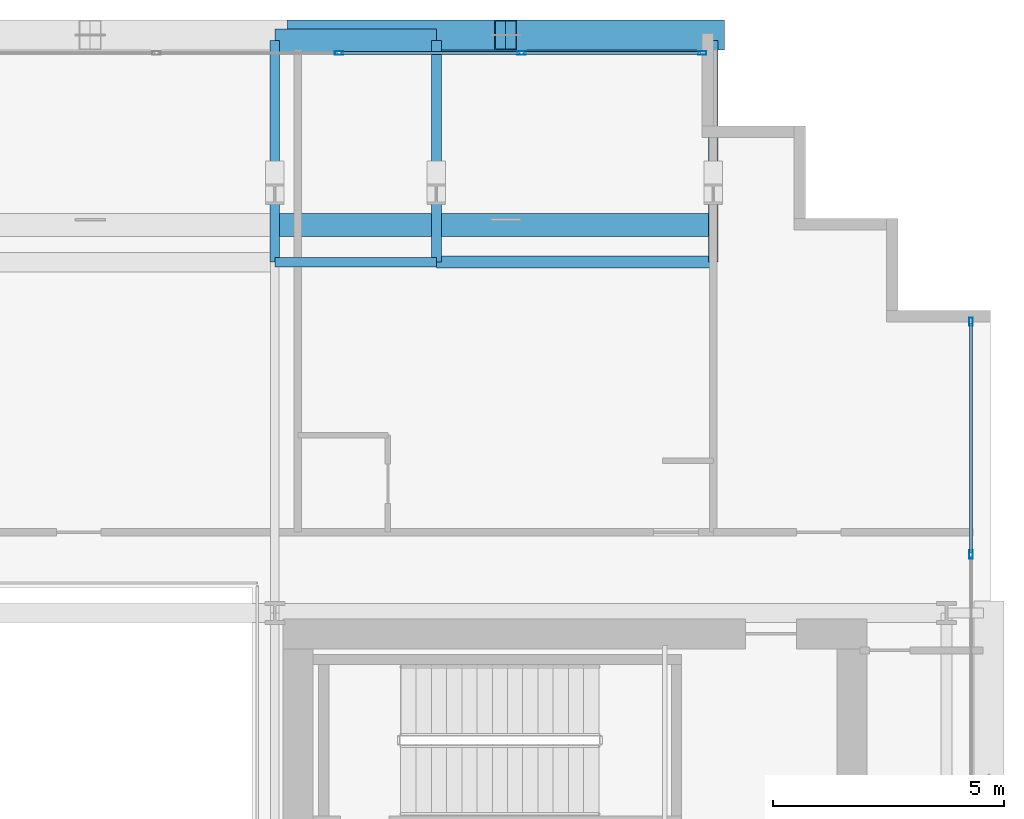
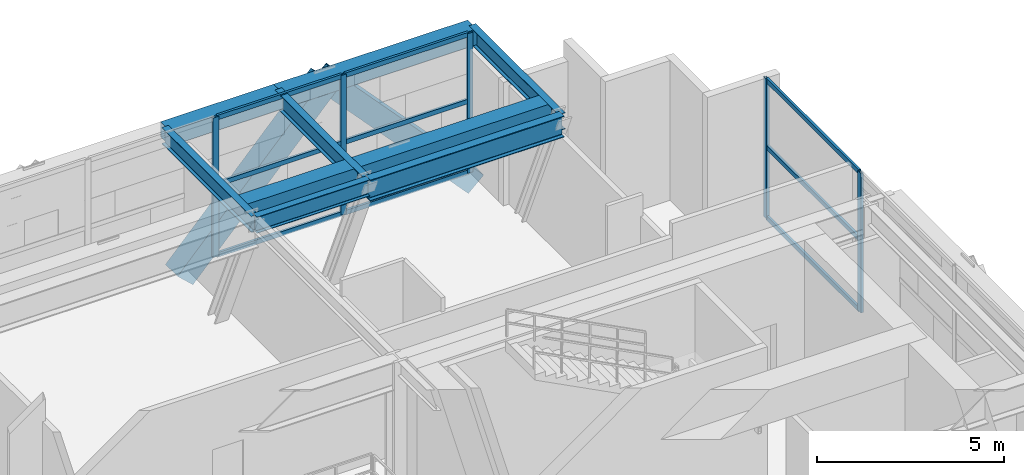
# One storey, part 22 of 35: 16 members, 9 beams, 2 elements without a shape of their own.
"""IFC4 building model written with IfcOpenShell, lengths in metres."""

from ifc_helpers import new_model, si_unit, direction, frame, origin, origin_2d, place, context, subcontext, project, spatial, hollow_rectangle, i_section, extrude, source, transform, mapped, material, layer, layer_set, material_profile, profile_set, type_object, element, aggregate, save


model = new_model("IFC4")

# Units and contexts
model_context = context("Model", 3, precision=1e-05, world=origin(), true_north=direction((0.0, 1.0)))
body_context = subcontext(model_context, "Body", "Model", "MODEL_VIEW")
ifc_project = project(units=[si_unit("LENGTHUNIT", "METRE"), si_unit("AREAUNIT", "SQUARE_METRE"), si_unit("VOLUMEUNIT", "CUBIC_METRE"), si_unit("PLANEANGLEUNIT", "RADIAN"), si_unit("MASSUNIT", "GRAM", prefix="KILO")], contexts=[model_context])

# Site, building, storey
site_placement = place(None, origin())
site = spatial("IfcSite", under=ifc_project, at=site_placement, CompositionType="ELEMENT")
building_placement = place(site_placement, origin())
building = spatial("IfcBuilding", under=site, at=building_placement, Name="Ocotamira Hotel", CompositionType="ELEMENT")
storey_placement = place(building_placement, frame((0.0, 0.0, 158.39990234375)))
storey = spatial("IfcBuildingStorey", under=building, at=storey_placement, Name="L39", CompositionType="ELEMENT", Elevation=158.39990234375)

# Beams
ifc_material_1 = material(Name="Steel ASTM A992 Grade 50", Category="steel")
ifc_material_profile_1 = material_profile(ifc_material_1, i_section(OverallWidth=0.256103515625, OverallDepth=0.693115234375, WebThickness=0.014404296875, FlangeThickness=0.023681640625, FilletRadius=0.01611328125, at=origin_2d()), Name="W27X114")
ifc_profile_set_1 = profile_set([ifc_material_profile_1], Name="Steel ASTM A992 Grade 50")
beam_type_1 = type_object("IfcBeamType", Name="BM-PRIM-W27X114", PredefinedType="BEAM", material=ifc_profile_set_1)
shared_shape_1 = source(origin(), body_context, "Body", "SweptSolid", [
    extrude(i_section(OverallWidth=0.256103515625, OverallDepth=0.693115234375, WebThickness=0.014404296875, FlangeThickness=0.023681640625, FilletRadius=0.01611328125, at=origin_2d()), origin(), (0.0, 0.0, 1.0), 6.0),
])
beam_1_placement = place(storey_placement, frame((44.0, 45.050048828125, 4.2236328125), z_axis=(1.0, 0.0, 0.0), x_axis=(0.0, 1.0, 0.0)))
element("IfcBeam", 1, at=beam_1_placement, inside=storey, type_object=beam_type_1, Name="L39 Girder Y45.05 X44-50", PredefinedType="BEAM", context=body_context, shape_type="MappedRepresentation", body=[
    mapped(shared_shape_1, transform((0.0, 0.0, 0.0), scale=1.0)),
])
ifc_material_profile_2 = material_profile(ifc_material_1, i_section(OverallWidth=0.2099609375, OverallDepth=0.537109375, WebThickness=0.010986328125, FlangeThickness=0.017333984375, FilletRadius=0.012939453125, at=origin_2d()), Name="W21X68")
ifc_profile_set_2 = profile_set([ifc_material_profile_2], Name="Steel ASTM A992 Grade 50")
beam_type_2 = type_object("IfcBeamType", Name="BM-SEC-W21X68", PredefinedType="JOIST", material=ifc_profile_set_2)
shared_shape_2 = source(origin(), body_context, "Body", "SweptSolid", [
    extrude(i_section(OverallWidth=0.2099609375, OverallDepth=0.537109375, WebThickness=0.010986328125, FlangeThickness=0.017333984375, FilletRadius=0.012939453125, at=origin_2d()), origin(), (0.0, 0.0, 1.0), 3.5),
])
beam_2_placement = place(storey_placement, frame((40.5, 45.050048828125, 4.301513671875), z_axis=(1.0, 0.0, 0.0), x_axis=(0.0, 1.0, 0.0)))
element("IfcBeam", 2, at=beam_2_placement, inside=storey, type_object=beam_type_2, Name="L39 Girder Y45.05 X40.5-44", PredefinedType="JOIST", context=body_context, shape_type="MappedRepresentation", body=[
    mapped(shared_shape_2, transform((0.0, 0.0, 0.0), scale=1.0)),
])
ifc_material_2 = material(Name="Steel ASTM A500 Grade C", Category="steel")
ifc_material_profile_3 = material_profile(ifc_material_2, hollow_rectangle(XDim=0.5, YDim=0.5, WallThickness=0.02001953125, at=origin_2d()), Name="HSS500X500X20")
ifc_profile_set_3 = profile_set([ifc_material_profile_3], Name="Steel ASTM A500 Grade C")
beam_type_3 = type_object("IfcBeamType", Name="BM-SPAN-HSS500", PredefinedType="USERDEFINED", material=ifc_profile_set_3)
shared_shape_3 = source(origin(), body_context, "Body", "SweptSolid", [
    extrude(hollow_rectangle(XDim=0.5, YDim=0.5, WallThickness=0.02001953125, at=origin_2d()), origin(), (0.0, 0.0, 1.0), 6.0),
])
for number, where, z_axis, x_axis, name in (
    (3, (44.0, 45.85009765625, 4.320068359375), (1.0, 0.0, 0.0), (0.0, 1.0, 0.0), "L39 Inner Setback Spandrel N X44"),
    (4, (44.0, 49.85009765625, 4.320068359375), (1.0, 0.0, 0.0), (0.0, 1.0, 0.0), "L39 Edge Spandrel N X44-50"),
):
    element("IfcBeam", number, at=place(storey_placement, frame(where, z_axis=z_axis, x_axis=x_axis)), inside=storey, type_object=beam_type_3, Name=name, ObjectType="SPANDREL", PredefinedType="USERDEFINED", context=body_context, shape_type="MappedRepresentation", body=[
        mapped(shared_shape_3, transform((0.0, 0.0, 0.0), scale=1.0)),
    ])
shared_shape_4 = source(origin(), body_context, "Body", "SweptSolid", [
    extrude(hollow_rectangle(XDim=0.5, YDim=0.5, WallThickness=0.02001953125, at=origin_2d()), origin(), (0.0, 0.0, 1.0), 3.5),
])
for number, where, z_axis, x_axis, name in (
    (5, (40.5, 45.85009765625, 4.320068359375), (1.0, 0.0, 0.0), (0.0, 1.0, 0.0), "L39 Inner Setback Spandrel N X40.5"),
    (6, (40.5, 49.85009765625, 4.320068359375), (1.0, 0.0, 0.0), (0.0, 1.0, 0.0), "L39 Edge Spandrel N X40.5-44"),
):
    element("IfcBeam", number, at=place(storey_placement, frame(where, z_axis=z_axis, x_axis=x_axis)), inside=storey, type_object=beam_type_3, Name=name, ObjectType="SPANDREL", PredefinedType="USERDEFINED", context=body_context, shape_type="MappedRepresentation", body=[
        mapped(shared_shape_4, transform((0.0, 0.0, 0.0), scale=1.0)),
    ])
shared_shape_5 = source(origin(), body_context, "Body", "SweptSolid", [
    extrude(i_section(OverallWidth=0.2099609375, OverallDepth=0.537109375, WebThickness=0.010986328125, FlangeThickness=0.017333984375, FilletRadius=0.012939453125, at=origin_2d()), origin(), (0.0, 0.0, 1.0), 4.800048828125),
])
for number, where, z_axis, x_axis, name in (
    (7, (40.5, 45.050048828125, 4.301513671875), (0.0, 1.0, 0.0), (-1.0, 0.0, 0.0), "L39 North Edge Header X40.5"),
    (8, (44.0, 45.050048828125, 4.301513671875), (0.0, 1.0, 0.0), (-1.0, 0.0, 0.0), "L39 North Edge Header X44"),
    (9, (50.0, 45.050048828125, 4.301513671875), (0.0, 1.0, 0.0), (-1.0, 0.0, 0.0), "L39 North Edge Header X50"),
):
    element("IfcBeam", number, at=place(storey_placement, frame(where, z_axis=z_axis, x_axis=x_axis)), inside=storey, type_object=beam_type_2, Name=name, PredefinedType="JOIST", context=body_context, shape_type="MappedRepresentation", body=[
        mapped(shared_shape_5, transform((0.0, 0.0, 0.0), scale=1.0)),
    ])

# Members
ifc_material_3 = material(Name="Pale-metal coated steel ASTM A913 Grade 65", Category="steel")
ifc_material_profile_4 = material_profile(ifc_material_3, hollow_rectangle(XDim=0.64990234375, YDim=0.64990234375, WallThickness=0.02197265625, at=origin_2d()), Name="BOX650X650X22")
ifc_profile_set_4 = profile_set([ifc_material_profile_4], Name="Pale-metal coated steel ASTM A913 Grade 65")
member_type_1 = type_object("IfcMemberType", Name="MEM-EXO-BOX650", PredefinedType="BRACE", material=ifc_profile_set_4)
shared_shape_6 = source(origin(), body_context, "Body", "SweptSolid", [
    extrude(hollow_rectangle(XDim=0.64990234375, YDim=0.64990234375, WallThickness=0.02197265625, at=origin_2d()), origin(), (0.0, 0.0, 1.0), 6.615966796875),
])
for number, where, z_axis, x_axis, name in (
    (10, (41.0, 49.969970703125, -0.52978515625), (0.680172214763, 0.0, 0.73305235711), (0.0, 1.0, 0.0), "L39 Exoskeleton Diagrid N3.1"),
    (11, (50.0, 49.969970703125, -0.52978515625), (-0.680172214763, 0.0, 0.73305235711), (0.0, -1.0, 0.0), "L39 Exoskeleton Diagrid N3.2"),
):
    element("IfcMember", number, at=place(storey_placement, frame(where, z_axis=z_axis, x_axis=x_axis)), inside=storey, type_object=member_type_1, Name=name, PredefinedType="BRACE", context=body_context, shape_type="MappedRepresentation", body=[
        mapped(shared_shape_6, transform((0.0, 0.0, 0.0), scale=1.0)),
    ])

# Curtain wall, members
ifc_material_4 = material(Name="Anodised pale-metal aluminium and solar glass", Category="aluminium")
ifc_layer = layer(ifc_material_4, 0.239990234375)
ifc_layer_set = layer_set([ifc_layer], Name="Anodised pale-metal aluminium and solar glass")
curtain_wall_type = type_object("IfcCurtainWallType", Name="CW-SYS5-SKY", PredefinedType="NOTDEFINED", material=ifc_layer_set)
curtain_wall_1_placement = place(storey_placement, origin())
curtain_wall_1 = element("IfcCurtainWall", 12, at=curtain_wall_1_placement, inside=storey, type_object=curtain_wall_type, Name="L39 Curtain Wall CW-5 CW-L39-N", PredefinedType="NOTDEFINED")
ifc_material_5 = material(Name="Anodised pale-metal aluminium 6063-T6", Category="aluminium")
ifc_material_profile_5 = material_profile(ifc_material_5, hollow_rectangle(XDim=0.074951171875, YDim=0.14990234375, WallThickness=0.006103515625, at=origin_2d()), Name="HSS150X75X6")
ifc_profile_set_5 = profile_set([ifc_material_profile_5], Name="Anodised pale-metal aluminium 6063-T6")
member_type_2 = type_object("IfcMemberType", Name="CWT-150X75", PredefinedType="USERDEFINED", material=ifc_profile_set_5)
shared_shape_7 = source(origin(), body_context, "Body", "SweptSolid", [
    extrude(hollow_rectangle(XDim=0.074951171875, YDim=0.14990234375, WallThickness=0.006103515625, at=origin_2d()), origin(), (0.0, 0.0, 1.0), 3.83544921875),
])
member_1_placement = place(storey_placement, frame((45.884521484375, 49.580078125, 0.03759765625), z_axis=(1.0, 0.0, 0.0), x_axis=(0.0, 1.0, 0.0)))
member_1 = element("IfcMember", 13, at=member_1_placement, type_object=member_type_2, Name="CW-5 transom 9.1", ObjectType="TRANSOM", PredefinedType="USERDEFINED", context=body_context, shape_type="MappedRepresentation", body=[
    mapped(shared_shape_7, transform((0.0, 0.0, 0.0), scale=1.0)),
])
member_2_placement = place(storey_placement, frame((45.884521484375, 49.580078125, 2.35009765625), z_axis=(1.0, 0.0, 0.0), x_axis=(0.0, 1.0, 0.0)))
member_2 = element("IfcMember", 14, at=member_2_placement, type_object=member_type_2, Name="CW-5 transom 9.2", ObjectType="TRANSOM", PredefinedType="USERDEFINED", context=body_context, shape_type="MappedRepresentation", body=[
    mapped(shared_shape_7, transform((0.0, 0.0, 0.0), scale=1.0)),
])
member_3_placement = place(storey_placement, frame((45.884521484375, 49.580078125, 4.53271484375), z_axis=(1.0, 0.0, 0.0), x_axis=(0.0, 1.0, 0.0)))
member_3 = element("IfcMember", 15, at=member_3_placement, type_object=member_type_2, Name="CW-5 transom 9.3", ObjectType="TRANSOM", PredefinedType="USERDEFINED", context=body_context, shape_type="MappedRepresentation", body=[
    mapped(shared_shape_7, transform((0.0, 0.0, 0.0), scale=1.0)),
])
shared_shape_8 = source(origin(), body_context, "Body", "SweptSolid", [
    extrude(hollow_rectangle(XDim=0.074951171875, YDim=0.14990234375, WallThickness=0.006103515625, at=origin_2d()), origin(), (0.0, 0.0, 1.0), 3.87548828125),
])
member_4_placement = place(storey_placement, frame((41.928955078125, 49.580078125, 0.03759765625), z_axis=(1.0, 0.0, 0.0), x_axis=(0.0, 1.0, 0.0)))
member_4 = element("IfcMember", 16, at=member_4_placement, type_object=member_type_2, Name="CW-5 transom 8.1", ObjectType="TRANSOM", PredefinedType="USERDEFINED", context=body_context, shape_type="MappedRepresentation", body=[
    mapped(shared_shape_8, transform((0.0, 0.0, 0.0), scale=1.0)),
])
member_5_placement = place(storey_placement, frame((41.928955078125, 49.580078125, 2.35009765625), z_axis=(1.0, 0.0, 0.0), x_axis=(0.0, 1.0, 0.0)))
member_5 = element("IfcMember", 17, at=member_5_placement, type_object=member_type_2, Name="CW-5 transom 8.2", ObjectType="TRANSOM", PredefinedType="USERDEFINED", context=body_context, shape_type="MappedRepresentation", body=[
    mapped(shared_shape_8, transform((0.0, 0.0, 0.0), scale=1.0)),
])
member_6_placement = place(storey_placement, frame((41.928955078125, 49.580078125, 4.53271484375), z_axis=(1.0, 0.0, 0.0), x_axis=(0.0, 1.0, 0.0)))
member_6 = element("IfcMember", 18, at=member_6_placement, type_object=member_type_2, Name="CW-5 transom 8.3", ObjectType="TRANSOM", PredefinedType="USERDEFINED", context=body_context, shape_type="MappedRepresentation", body=[
    mapped(shared_shape_8, transform((0.0, 0.0, 0.0), scale=1.0)),
])

curtain_wall_2_placement = place(storey_placement, origin())
curtain_wall_2 = element("IfcCurtainWall", 19, at=curtain_wall_2_placement, inside=storey, type_object=curtain_wall_type, Name="L39 Curtain Wall CW-5 CW-L39-E", PredefinedType="NOTDEFINED")
shared_shape_9 = source(origin(), body_context, "Body", "SweptSolid", [
    extrude(hollow_rectangle(XDim=0.074951171875, YDim=0.14990234375, WallThickness=0.006103515625, at=origin_2d()), origin(), (0.0, 0.0, 1.0), 4.965576171875),
])
member_7_placement = place(storey_placement, frame((55.580078125, 38.75439453125, 0.03759765625), z_axis=(0.0, 1.0, 0.0), x_axis=(-1.0, 0.0, 0.0)))
member_7 = element("IfcMember", 20, at=member_7_placement, type_object=member_type_2, Name="CW-5 transom 7.1", ObjectType="TRANSOM", PredefinedType="USERDEFINED", context=body_context, shape_type="MappedRepresentation", body=[
    mapped(shared_shape_9, transform((0.0, 0.0, 0.0), scale=1.0)),
])
member_8_placement = place(storey_placement, frame((55.580078125, 38.75439453125, 2.35009765625), z_axis=(0.0, 1.0, 0.0), x_axis=(-1.0, 0.0, 0.0)))
member_8 = element("IfcMember", 21, at=member_8_placement, type_object=member_type_2, Name="CW-5 transom 7.2", ObjectType="TRANSOM", PredefinedType="USERDEFINED", context=body_context, shape_type="MappedRepresentation", body=[
    mapped(shared_shape_9, transform((0.0, 0.0, 0.0), scale=1.0)),
])
member_9_placement = place(storey_placement, frame((55.580078125, 38.75439453125, 4.53271484375), z_axis=(0.0, 1.0, 0.0), x_axis=(-1.0, 0.0, 0.0)))
member_9 = element("IfcMember", 22, at=member_9_placement, type_object=member_type_2, Name="CW-5 transom 7.3", ObjectType="TRANSOM", PredefinedType="USERDEFINED", context=body_context, shape_type="MappedRepresentation", body=[
    mapped(shared_shape_9, transform((0.0, 0.0, 0.0), scale=1.0)),
])

# Member
ifc_material_profile_6 = material_profile(ifc_material_5, hollow_rectangle(XDim=0.080078125, YDim=0.179931640625, WallThickness=0.006103515625, at=origin_2d()), Name="HSS180X80X6")
ifc_profile_set_6 = profile_set([ifc_material_profile_6], Name="Anodised pale-metal aluminium 6063-T6")
member_type_3 = type_object("IfcMemberType", Name="CWM-180X75", PredefinedType="MULLION", material=ifc_profile_set_6)
shared_shape_10 = source(origin(), body_context, "Body", "SweptSolid", [
    extrude(hollow_rectangle(XDim=0.080078125, YDim=0.179931640625, WallThickness=0.006103515625, at=origin_2d()), origin(), (0.0, 0.0, 1.0), 4.570068359375),
])
member_10_placement = place(storey_placement, frame((41.888916015625, 49.580078125, 0.0), z_axis=(0.0, 0.0, 1.0), x_axis=(0.0, 1.0, 0.0)))
member_10 = element("IfcMember", 23, at=member_10_placement, type_object=member_type_3, Name="CW-5 mullion 8", PredefinedType="MULLION", context=body_context, shape_type="MappedRepresentation", body=[
    mapped(shared_shape_10, transform((0.0, 0.0, 0.0), scale=1.0)),
])

member_11_placement = place(storey_placement, frame((45.844482421875, 49.580078125, 0.0), z_axis=(0.0, 0.0, 1.0), x_axis=(0.0, 1.0, 0.0)))
member_11 = element("IfcMember", 24, at=member_11_placement, type_object=member_type_3, Name="CW-5 mullion 9", PredefinedType="MULLION", context=body_context, shape_type="MappedRepresentation", body=[
    mapped(shared_shape_10, transform((0.0, 0.0, 0.0), scale=1.0)),
])

member_12_placement = place(storey_placement, frame((49.760009765625, 49.580078125, 0.0), z_axis=(0.0, 0.0, 1.0), x_axis=(0.0, 1.0, 0.0)))
member_12 = element("IfcMember", 25, at=member_12_placement, type_object=member_type_3, Name="CW-5 mullion 10", PredefinedType="MULLION", context=body_context, shape_type="MappedRepresentation", body=[
    mapped(shared_shape_10, transform((0.0, 0.0, 0.0), scale=1.0)),
])

aggregate(curtain_wall_1, [member_10, member_11, member_12, member_4, member_5, member_6, member_1, member_2, member_3])

member_13_placement = place(storey_placement, frame((55.580078125, 38.71435546875, 0.0), z_axis=(0.0, 0.0, 1.0), x_axis=(-1.0, 0.0, 0.0)))
member_13 = element("IfcMember", 26, at=member_13_placement, type_object=member_type_3, Name="CW-5 mullion 7", PredefinedType="MULLION", context=body_context, shape_type="MappedRepresentation", body=[
    mapped(shared_shape_10, transform((0.0, 0.0, 0.0), scale=1.0)),
])

member_14_placement = place(storey_placement, frame((55.580078125, 43.760009765625, 0.0), z_axis=(0.0, 0.0, 1.0), x_axis=(-1.0, 0.0, 0.0)))
member_14 = element("IfcMember", 27, at=member_14_placement, type_object=member_type_3, Name="CW-5 mullion 8", PredefinedType="MULLION", context=body_context, shape_type="MappedRepresentation", body=[
    mapped(shared_shape_10, transform((0.0, 0.0, 0.0), scale=1.0)),
])

aggregate(curtain_wall_2, [member_13, member_14, member_7, member_8, member_9])

save(model, "model.ifc")
